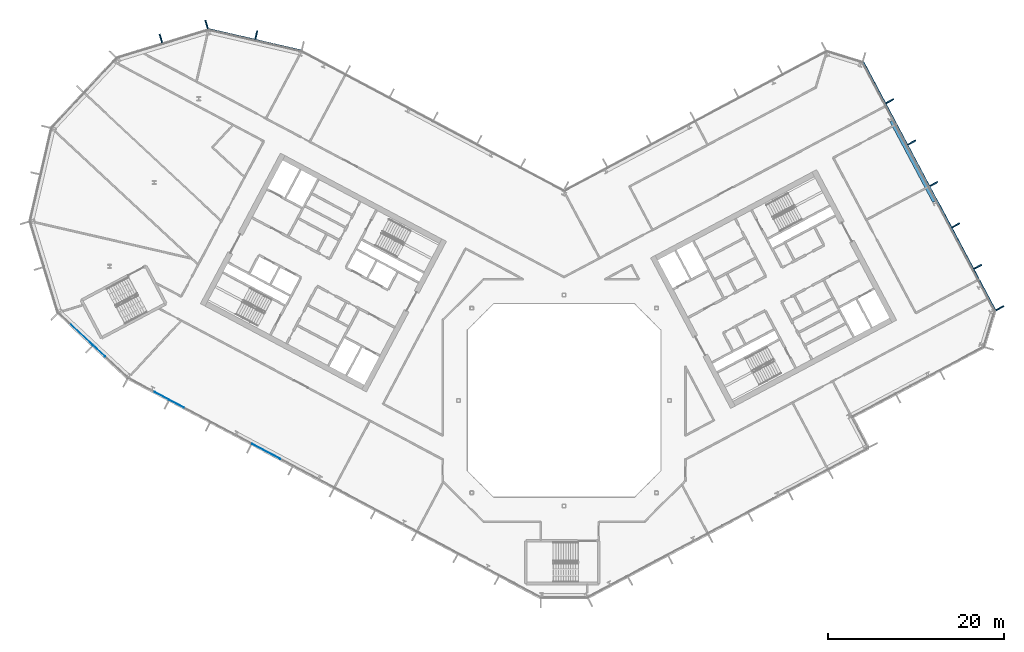
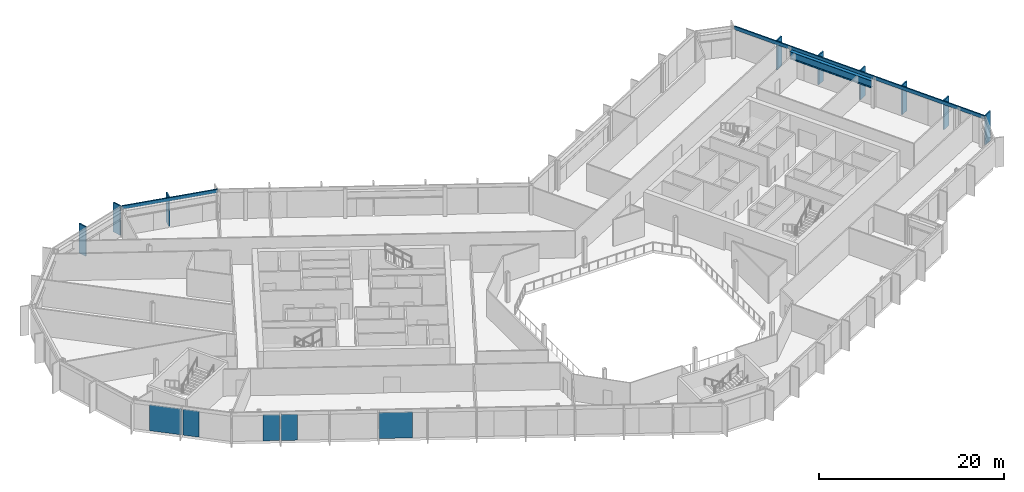
# One storey, part 10 of 26: 11 members, 5 plates, 1 beam, 5 elements without a shape of their own.
"""IFC4 building model written with IfcOpenShell, lengths in metres."""

from ifc_helpers import new_model, si_unit, direction, frame, origin, origin_2d, place, context, subcontext, project, spatial, rectangle, i_section, extrude, material, layer, layer_set, material_profile, profile_set, type_object, element, aggregate, save


model = new_model("IFC4")

# Units and contexts
model_context = context("Model", 3, precision=1e-05, world=origin(), true_north=direction((0.0, 1.0)))
body_context = subcontext(model_context, "Body", "Model", "MODEL_VIEW")
ifc_project = project(units=[si_unit("LENGTHUNIT", "METRE"), si_unit("AREAUNIT", "SQUARE_METRE"), si_unit("VOLUMEUNIT", "CUBIC_METRE"), si_unit("PLANEANGLEUNIT", "RADIAN"), si_unit("MASSUNIT", "GRAM", prefix="KILO")], contexts=[model_context])

# Site, building, storey
site_placement = place(None, origin())
site = spatial("IfcSite", under=ifc_project, at=site_placement, CompositionType="ELEMENT")
building_placement = place(site_placement, origin())
building = spatial("IfcBuilding", under=site, at=building_placement, Name="Cormorant Relay Tower", CompositionType="ELEMENT")
storey_placement = place(building_placement, frame((0.0, 0.0, 197.39990234375)))
storey = spatial("IfcBuildingStorey", under=building, at=storey_placement, Name="L42", CompositionType="ELEMENT", Elevation=197.39990234375)

# Curtain wall, members
ifc_material_1 = material(Name="Aluminium 6063-T6 anodised bronze", Category="aluminium")
ifc_layer_1 = layer(ifc_material_1, 0.199951171875)
ifc_layer_set_1 = layer_set([ifc_layer_1], Name="CW1 unitised bronze curtain wall with vertical fins")
curtain_wall_type = type_object("IfcCurtainWallType", Name="CW1 unitised bronze curtain wall with vertical fins", PredefinedType="NOTDEFINED", material=ifc_layer_set_1)
curtain_wall_1_placement = place(storey_placement, origin())
curtain_wall_1 = element("IfcCurtainWall", 1, at=curtain_wall_1_placement, inside=storey, type_object=curtain_wall_type, Name="CW1 curtain wall 6", PredefinedType="NOTDEFINED")
ifc_material_2 = material(Name="Aluminium 6063-T6 anodised bronze", Category="aluminium")
ifc_material_profile_1 = material_profile(ifc_material_2, rectangle(XDim=0.14990234375, YDim=1.0, at=origin_2d()), Name="AL 150x1000")
ifc_profile_set_1 = profile_set([ifc_material_profile_1], Name="Aluminium 6063-T6 anodised bronze")
member_type_1 = type_object("IfcMemberType", Name="CW1 bronze fin mullion 150 x 1000", PredefinedType="MULLION", material=ifc_profile_set_1)
member_1_placement = place(storey_placement, frame((49.572021484375, 10.501953125, 0.0), z_axis=(0.0, 0.0, 1.0), x_axis=(-0.469471562786, 0.882947592859, 0.0)))
member_1 = element("IfcMember", 2, at=member_1_placement, type_object=member_type_1, Name="CW1 fin 6.1", PredefinedType="MULLION", context=body_context, shape_type="SweptSolid", body=[
    extrude(rectangle(XDim=0.14990234375, YDim=1.0, at=origin_2d()), origin(), (0.0, 0.0, 1.0), 3.900146484375),
])
member_2_placement = place(storey_placement, frame((47.068359375, 15.211181640625, 0.0), z_axis=(0.0, 0.0, 1.0), x_axis=(-0.469471562786, 0.882947592859, 0.0)))
member_2 = element("IfcMember", 3, at=member_2_placement, type_object=member_type_1, Name="CW1 fin 6.2", PredefinedType="MULLION", context=body_context, shape_type="SweptSolid", body=[
    extrude(rectangle(XDim=0.14990234375, YDim=1.0, at=origin_2d()), origin(), (0.0, 0.0, 1.0), 3.900146484375),
])
member_3_placement = place(storey_placement, frame((44.564453125, 19.920166015625, 0.0), z_axis=(0.0, 0.0, 1.0), x_axis=(-0.469471562786, 0.882947592859, 0.0)))
member_3 = element("IfcMember", 4, at=member_3_placement, type_object=member_type_1, Name="CW1 fin 6.3", PredefinedType="MULLION", context=body_context, shape_type="SweptSolid", body=[
    extrude(rectangle(XDim=0.14990234375, YDim=1.0, at=origin_2d()), origin(), (0.0, 0.0, 1.0), 3.900146484375),
])
member_4_placement = place(storey_placement, frame((42.060546875, 24.629150390625, 0.0), z_axis=(0.0, 0.0, 1.0), x_axis=(-0.469471562786, 0.882947592859, 0.0)))
member_4 = element("IfcMember", 5, at=member_4_placement, type_object=member_type_1, Name="CW1 fin 6.4", PredefinedType="MULLION", context=body_context, shape_type="SweptSolid", body=[
    extrude(rectangle(XDim=0.14990234375, YDim=1.0, at=origin_2d()), origin(), (0.0, 0.0, 1.0), 3.900146484375),
])
member_5_placement = place(storey_placement, frame((39.556884765625, 29.338134765625, 0.0), z_axis=(0.0, 0.0, 1.0), x_axis=(-0.469471562786, 0.882947592859, 0.0)))
member_5 = element("IfcMember", 6, at=member_5_placement, type_object=member_type_1, Name="CW1 fin 6.5", PredefinedType="MULLION", context=body_context, shape_type="SweptSolid", body=[
    extrude(rectangle(XDim=0.14990234375, YDim=1.0, at=origin_2d()), origin(), (0.0, 0.0, 1.0), 3.900146484375),
])
member_6_placement = place(storey_placement, frame((37.052978515625, 34.04736328125, 0.0), z_axis=(0.0, 0.0, 1.0), x_axis=(-0.469471562786, 0.882947592859, 0.0)))
member_6 = element("IfcMember", 7, at=member_6_placement, type_object=member_type_1, Name="CW1 fin 6.6", PredefinedType="MULLION", context=body_context, shape_type="SweptSolid", body=[
    extrude(rectangle(XDim=0.14990234375, YDim=1.0, at=origin_2d()), origin(), (0.0, 0.0, 1.0), 3.900146484375),
])

# Curtain wall, member
curtain_wall_2_placement = place(storey_placement, origin())
curtain_wall_2 = element("IfcCurtainWall", 8, at=curtain_wall_2_placement, inside=storey, type_object=curtain_wall_type, Name="CW1 curtain wall 10", PredefinedType="NOTDEFINED")
member_7_placement = place(storey_placement, frame((-35.01220703125, 41.57275390625, 0.0), z_axis=(0.0, 0.0, 1.0), x_axis=(-0.974370064785, 0.224951054344, 0.0)))
member_7 = element("IfcMember", 9, at=member_7_placement, type_object=member_type_1, Name="CW1 fin 10.2", PredefinedType="MULLION", context=body_context, shape_type="SweptSolid", body=[
    extrude(rectangle(XDim=0.14990234375, YDim=1.0, at=origin_2d()), origin(), (0.0, 0.0, 1.0), 3.900146484375),
])

# Curtain wall, members
curtain_wall_3_placement = place(storey_placement, origin())
curtain_wall_3 = element("IfcCurtainWall", 10, at=curtain_wall_3_placement, inside=storey, type_object=curtain_wall_type, Name="CW1 curtain wall 11", PredefinedType="NOTDEFINED")
member_8_placement = place(storey_placement, frame((-40.670166015625, 42.78271484375, 0.0), z_axis=(0.0, 0.0, 1.0), x_axis=(-0.956304755963, -0.292371704723, 0.0)))
member_8 = element("IfcMember", 11, at=member_8_placement, type_object=member_type_1, Name="CW1 fin 11.1", PredefinedType="MULLION", context=body_context, shape_type="SweptSolid", body=[
    extrude(rectangle(XDim=0.14990234375, YDim=1.0, at=origin_2d()), origin(), (0.0, 0.0, 1.0), 3.900146484375),
])
member_9_placement = place(storey_placement, frame((-45.867919921875, 41.193603515625, 0.0), z_axis=(0.0, 0.0, 1.0), x_axis=(-0.956304755963, -0.292371704723, 0.0)))
member_9 = element("IfcMember", 12, at=member_9_placement, type_object=member_type_1, Name="CW1 fin 11.2", PredefinedType="MULLION", context=body_context, shape_type="SweptSolid", body=[
    extrude(rectangle(XDim=0.14990234375, YDim=1.0, at=origin_2d()), origin(), (0.0, 0.0, 1.0), 3.900146484375),
])
aggregate(curtain_wall_3, [member_8, member_9])

# Member
ifc_material_3 = material(Name="Aluminium 6063-T6 anodised bronze", Category="aluminium")
ifc_material_profile_2 = material_profile(ifc_material_3, rectangle(XDim=0.159912109375, YDim=0.449951171875, at=origin_2d()), Name="AL 160x450")
ifc_profile_set_2 = profile_set([ifc_material_profile_2], Name="Aluminium 6063-T6 anodised bronze")
member_type_2 = type_object("IfcMemberType", Name="CW1 bronze transom 160 x 450", PredefinedType="USERDEFINED", material=ifc_profile_set_2)
member_10_placement = place(storey_placement, frame((49.06005859375, 10.229736328125, 3.675048828125), z_axis=(-0.46947036835, 0.882948227951, 0.0), x_axis=(-0.882948227951, -0.46947036835, 0.0)))
member_10 = element("IfcMember", 13, at=member_10_placement, type_object=member_type_2, Name="CW1 transom 6", ObjectType="TRANSOM", PredefinedType="USERDEFINED", context=body_context, shape_type="SweptSolid", body=[
    extrude(rectangle(XDim=0.159912109375, YDim=0.449951171875, at=origin_2d()), origin(), (0.0, 0.0, 1.0), 31.999755859375),
])

aggregate(curtain_wall_1, [member_1, member_2, member_3, member_4, member_5, member_6, member_10])

member_11_placement = place(storey_placement, frame((-29.8466796875, 39.784912109375, 3.675048828125), z_axis=(-0.974365070969, 0.224972683844, 0.0), x_axis=(-0.224972683844, -0.974365070969, 0.0)))
member_11 = element("IfcMember", 14, at=member_11_placement, type_object=member_type_2, Name="CW1 transom 10", ObjectType="TRANSOM", PredefinedType="USERDEFINED", context=body_context, shape_type="SweptSolid", body=[
    extrude(rectangle(XDim=0.159912109375, YDim=0.449951171875, at=origin_2d()), origin(), (0.0, 0.0, 1.0), 10.870361328125),
])

aggregate(curtain_wall_2, [member_7, member_11])

# Beam
ifc_material_4 = material(Name="Steel ASTM A992 (Fy 345 MPa)", Category="steel")
ifc_material_profile_3 = material_profile(ifc_material_4, i_section(OverallWidth=0.4013671875, OverallDepth=0.990478515625, WebThickness=0.0166015625, FlangeThickness=0.031005859375, FilletRadius=0.030029296875, at=origin_2d()), Name="W1000x320")
ifc_profile_set_3 = profile_set([ifc_material_profile_3], Name="Steel ASTM A992 (Fy 345 MPa)")
beam_type = type_object("IfcBeamType", Name="Spandrel W1000x320", PredefinedType="SPANDREL", material=ifc_profile_set_3)
beam_placement = place(storey_placement, frame((42.109619140625, 22.61865234375, 3.044677734375), z_axis=(-0.469476269233, 0.882945090381, 0.0), x_axis=(-0.882945090381, -0.469476269233, 0.0)))
element("IfcBeam", 15, at=beam_placement, inside=storey, type_object=beam_type, Name="Spandrel beam L42-006", PredefinedType="SPANDREL", context=body_context, shape_type="SweptSolid", body=[
    extrude(i_section(OverallWidth=0.4013671875, OverallDepth=0.990478515625, WebThickness=0.0166015625, FlangeThickness=0.031005859375, FilletRadius=0.030029296875, at=origin_2d()), origin(), (0.0, 0.0, 1.0), 10.396484375),
])

# Curtain wall, plate
curtain_wall_4_placement = place(storey_placement, origin())
curtain_wall_4 = element("IfcCurtainWall", 16, at=curtain_wall_4_placement, inside=storey, type_object=curtain_wall_type, Name="CW1 curtain wall 15", PredefinedType="NOTDEFINED")
ifc_material_5 = material(Name="Tinted laminated glass", Category="glass")
ifc_layer_2 = layer(ifc_material_5, 0.0400390625)
ifc_layer_set_2 = layer_set([ifc_layer_2], Name="CW1 tinted vision panel 1800 module")
plate_type_1 = type_object("IfcPlateType", Name="CW1 tinted vision panel 1800 module", PredefinedType="CURTAIN_PANEL", material=ifc_layer_set_2)
plate_1_placement = place(storey_placement, frame((-52.8671875, 5.611572265625, 0.0), z_axis=(0.0, 0.0, 1.0), x_axis=(0.731353701619, -0.681998360062, 0.0)))
plate_1 = element("IfcPlate", 17, at=plate_1_placement, type_object=plate_type_1, Name="CW1 panel V02", PredefinedType="CURTAIN_PANEL", context=body_context, shape_type="SweptSolid", body=[
    extrude(rectangle(XDim=1.800048828125, YDim=0.0400390625, at=origin_2d()), origin(), (0.0, 0.0, 1.0), 3.449951171875),
])

# Curtain wall, plates
curtain_wall_5_placement = place(storey_placement, origin())
curtain_wall_5 = element("IfcCurtainWall", 18, at=curtain_wall_5_placement, inside=storey, type_object=curtain_wall_type, Name="CW1 curtain wall 16", PredefinedType="NOTDEFINED")
plate_2_placement = place(storey_placement, frame((-45.767578125, 0.5283203125, 0.0), z_axis=(0.0, 0.0, 1.0), x_axis=(0.882947592859, -0.469471562786, 0.0)))
plate_2 = element("IfcPlate", 19, at=plate_2_placement, type_object=plate_type_1, Name="CW1 panel V01", PredefinedType="CURTAIN_PANEL", context=body_context, shape_type="SweptSolid", body=[
    extrude(rectangle(XDim=1.800048828125, YDim=0.0400390625, at=origin_2d()), origin(), (0.0, 0.0, 1.0), 3.449951171875),
])
plate_3_placement = place(storey_placement, frame((-44.0458984375, -0.38720703125, 0.0), z_axis=(0.0, 0.0, 1.0), x_axis=(0.882947592859, -0.469471562786, 0.0)))
plate_3 = element("IfcPlate", 20, at=plate_3_placement, type_object=plate_type_1, Name="CW1 panel V02", PredefinedType="CURTAIN_PANEL", context=body_context, shape_type="SweptSolid", body=[
    extrude(rectangle(XDim=1.800048828125, YDim=0.0400390625, at=origin_2d()), origin(), (0.0, 0.0, 1.0), 3.449951171875),
])

# Plate
ifc_material_6 = material(Name="Tinted laminated glass", Category="glass")
ifc_layer_3 = layer(ifc_material_6, 0.0400390625)
ifc_layer_set_3 = layer_set([ifc_layer_3], Name="CW1 tinted vision panel 3600 module")
plate_type_2 = type_object("IfcPlateType", Name="CW1 tinted vision panel 3600 module", PredefinedType="CURTAIN_PANEL", material=ifc_layer_set_3)
plate_4_placement = place(storey_placement, frame((-54.951416015625, 7.55517578125, 0.0), z_axis=(0.0, 0.0, 1.0), x_axis=(0.731353701619, -0.681998360062, 0.0)))
plate_4 = element("IfcPlate", 21, at=plate_4_placement, type_object=plate_type_2, Name="CW1 panel V01", PredefinedType="CURTAIN_PANEL", context=body_context, shape_type="SweptSolid", body=[
    extrude(rectangle(XDim=3.60009765625, YDim=0.0400390625, at=origin_2d()), origin(), (0.0, 0.0, 1.0), 3.449951171875),
])

aggregate(curtain_wall_4, [plate_4, plate_1])

plate_5_placement = place(storey_placement, frame((-33.862548828125, -5.801513671875, 0.0), z_axis=(0.0, 0.0, 1.0), x_axis=(0.882947592859, -0.469471562786, 0.0)))
plate_5 = element("IfcPlate", 22, at=plate_5_placement, type_object=plate_type_2, Name="CW1 panel V04", PredefinedType="CURTAIN_PANEL", context=body_context, shape_type="SweptSolid", body=[
    extrude(rectangle(XDim=3.60009765625, YDim=0.0400390625, at=origin_2d()), origin(), (0.0, 0.0, 1.0), 3.449951171875),
])

aggregate(curtain_wall_5, [plate_2, plate_3, plate_5])

save(model, "model.ifc")
